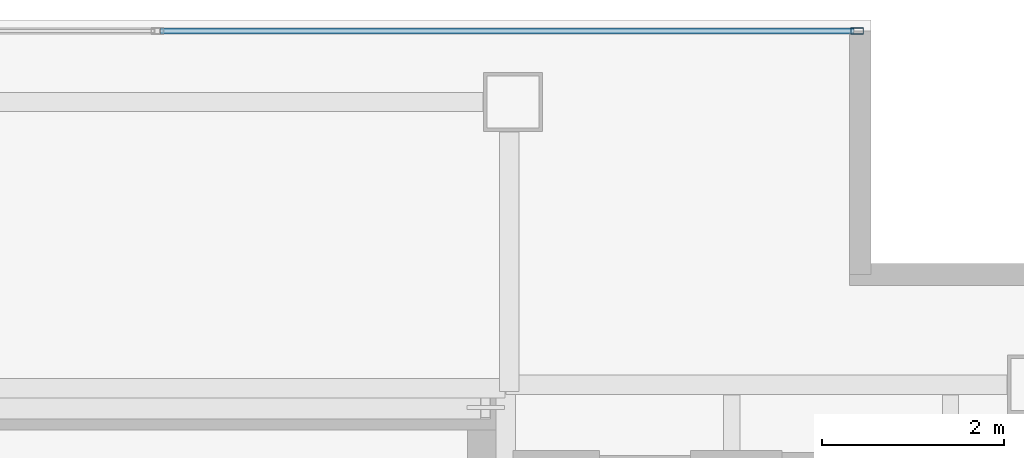
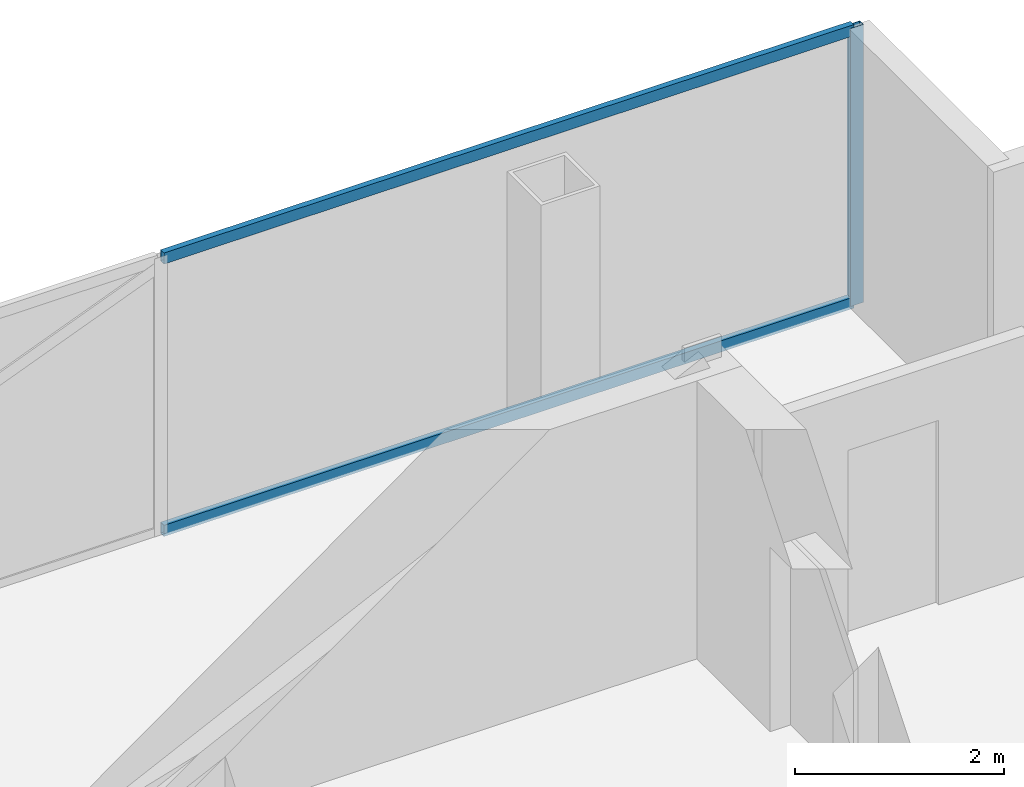
# One storey, part 18 of 23: 3 members, 1 element without a shape of its own.
"""IFC4 building model written with IfcOpenShell, lengths in metres."""

import ifcopenshell
import ifcopenshell.guid

model = None  # the IFC model being written
_history = None  # IfcOwnerHistory: only IFC2X3 demands one
_inside = {}  # id of a spatial element -> (the spatial element, [elements in it])
_under = {}  # id of a project, library or spatial element -> (it, [spatial elements below it])
_declared = {}  # id of a project -> (the project, [libraries it declares])
_typed = {}  # id of a type object -> (the type object, [elements of that type])
_made_of = {}  # id of a material, layer set ... -> (it, [elements and type objects made of it])


def new_model(schema):
    """Start an empty IFC model of exactly this schema.

    Asked for "IFC4X3", IfcOpenShell would pick the latest addendum, in which some entities
    have other attributes; the version numbers below select the first issue.
    IFC2X3 requires an IfcOwnerHistory on every rooted entity: one is made here for all.
    """
    global model, _history
    if schema == "IFC4X3":
        model = ifcopenshell.file(schema_version=(4, 3, 0, 0))
    else:
        model = ifcopenshell.file(schema=schema)
    _inside.clear()
    _under.clear()
    _declared.clear()
    _typed.clear()
    _made_of.clear()
    _history = None
    if model.schema == "IFC2X3":
        org = make("IfcOrganization", Name="unknown")
        user = make(
            "IfcPersonAndOrganization",
            ThePerson=make("IfcPerson", FamilyName="unknown"),
            TheOrganization=org,
        )
        app = make(
            "IfcApplication",
            ApplicationDeveloper=org,
            Version="unknown",
            ApplicationFullName="unknown",
            ApplicationIdentifier="unknown",
        )
        _history = make(
            "IfcOwnerHistory",
            OwningUser=user,
            OwningApplication=app,
            ChangeAction="ADDED",
            CreationDate=0,
        )
    return model


def make(cls, **values):
    """One entity of the class cls with the attributes given. An attribute that is None is left unset."""
    return model.create_entity(
        cls, **{name: value for name, value in values.items() if value is not None}
    )


def rooted(cls, **values):
    """An entity with a GlobalId (a new one), such as an element, a storey or a relation."""
    return make(cls, GlobalId=ifcopenshell.guid.new(), OwnerHistory=_history, **values)


def si_unit(unit_type, name, prefix=None):
    """IfcSIUnit, for example si_unit("LENGTHUNIT", "METRE", prefix="MILLI")."""
    return make("IfcSIUnit", UnitType=unit_type, Prefix=prefix, Name=name)


def assignment(units):
    """IfcUnitAssignment: the units of a project."""
    return None if units is None else make("IfcUnitAssignment", Units=units)


def point(xyz):
    """IfcCartesianPoint."""
    return None if xyz is None else make("IfcCartesianPoint", Coordinates=xyz)


def direction(xyz):
    """IfcDirection."""
    return None if xyz is None else make("IfcDirection", DirectionRatios=xyz)


def frame(location, z_axis=None, x_axis=None):
    """IfcAxis2Placement3D, a coordinate frame: its origin and axes. An axis left out is left unset."""
    return make(
        "IfcAxis2Placement3D",
        Location=point(location),
        Axis=direction(z_axis),
        RefDirection=direction(x_axis),
    )


def frame_2d(location, x_axis=None):
    """IfcAxis2Placement2D, a coordinate frame in the plane: its origin and x axis."""
    return make(
        "IfcAxis2Placement2D", Location=point(location), RefDirection=direction(x_axis)
    )


def origin():
    """The frame at (0, 0, 0) with its axes left unset."""
    return frame((0.0, 0.0, 0.0))


def origin_2d():
    """The frame at (0, 0) in the plane with its x axis left unset."""
    return frame_2d((0.0, 0.0))


def place(relative_to, where):
    """IfcLocalPlacement: puts the frame where relative to a parent placement (None: the world)."""
    return make(
        "IfcLocalPlacement", PlacementRelTo=relative_to, RelativePlacement=where
    )


def context(
    kind, dimensions, precision=None, world=None, true_north=None, identifier=None
):
    """IfcGeometricRepresentationContext, for example the 3D "Model" context."""
    return make(
        "IfcGeometricRepresentationContext",
        ContextIdentifier=identifier,
        ContextType=kind,
        CoordinateSpaceDimension=dimensions,
        Precision=precision,
        WorldCoordinateSystem=world,
        TrueNorth=true_north,
    )


def subcontext(parent, identifier, kind, view, scale=None):
    """IfcGeometricRepresentationSubContext, for example "Body" below "Model"."""
    return make(
        "IfcGeometricRepresentationSubContext",
        ContextIdentifier=identifier,
        ContextType=kind,
        ParentContext=parent,
        TargetScale=scale,
        TargetView=view,
    )


def project(units=None, contexts=None):
    """IfcProject with its units and contexts."""
    return rooted(
        "IfcProject",
        Name="project",
        RepresentationContexts=contexts,
        UnitsInContext=assignment(units),
    )


def spatial(cls, under=None, at=None, **own):
    """A site, building, storey or space (cls), placed at a placement, below another one or the project."""
    s = rooted(cls, ObjectPlacement=at, **own)
    if under is not None:
        _under.setdefault(under.id(), (under, []))[1].append(s)
    return s


def profile(cls, at=None, kind="AREA", **sizes):
    """A parametric profile (cls). Its sizes go by their IFC names, for example OverallWidth=200.0."""
    return make(cls, ProfileType=kind, Position=at, **sizes)


def hollow_rectangle(**sizes):
    """IfcRectangleHollowProfileDef."""
    return profile("IfcRectangleHollowProfileDef", **sizes)


def extrude(swept, where, along, depth):
    """IfcExtrudedAreaSolid: the profile swept, set in the frame where, extruded along a direction by depth."""
    return make(
        "IfcExtrudedAreaSolid",
        SweptArea=swept,
        Position=where,
        ExtrudedDirection=direction(along),
        Depth=depth,
    )


def shape(context_of_items, identifier, shape_type, items):
    """IfcShapeRepresentation: the items that make up one representation, for example the "Body"."""
    return make(
        "IfcShapeRepresentation",
        ContextOfItems=context_of_items,
        RepresentationIdentifier=identifier,
        RepresentationType=shape_type,
        Items=items,
    )


def material(Name=None, Category=None):
    """IfcMaterial."""
    return make("IfcMaterial", Name=Name, Category=Category)


def material_profile(
    of_material, cross_section, Name=None, Category=None, Priority=None
):
    """IfcMaterialProfile: a cross section and its material."""
    return make(
        "IfcMaterialProfile",
        Name=Name,
        Material=of_material,
        Profile=cross_section,
        Priority=Priority,
        Category=Category,
    )


def profile_set(profiles, Name=None, composite=None):
    """IfcMaterialProfileSet."""
    return make(
        "IfcMaterialProfileSet",
        Name=Name,
        MaterialProfiles=profiles,
        CompositeProfile=composite,
    )


def made_of(thing, what):
    """Note that an element or type object is made of a material, layer set ...; save() writes the relation."""
    if what is not None:
        _made_of.setdefault(what.id(), (what, []))[1].append(thing)
    return thing


def type_object(cls, material=None, **own):
    """A type object (cls), such as IfcWallType, which elements share."""
    return made_of(rooted(cls, **own), material)


def element(
    cls,
    number,
    at=None,
    inside=None,
    cuts=None,
    type_object=None,
    material=None,
    context=None,
    identifier="Body",
    shape_type=None,
    held_by="IfcProductDefinitionShape",
    body=None,
    shapes=None,
    **own,
):
    """One element of the class cls, such as IfcWall. Its Tag is "e" and its number.

    at: its placement. inside: the storey or other place that contains it. cuts: it is an
    opening in that element (IfcRelVoidsElement). A single representation is given by context,
    identifier, shape_type and body (its items); several are given by shapes. held_by: the class
    of the entity that holds the representations. save() writes the other relations.
    """
    e = rooted(cls, Tag="e%d" % number, ObjectPlacement=at, **own)
    if body is not None:
        shapes = [shape(context, identifier, shape_type, body)]
    if shapes is not None:
        e.Representation = make(held_by, Representations=shapes)
    if inside is not None:
        _inside.setdefault(inside.id(), (inside, []))[1].append(e)
    if cuts is not None:
        rooted(
            "IfcRelVoidsElement", RelatingBuildingElement=cuts, RelatedOpeningElement=e
        )
    if type_object is not None:
        _typed.setdefault(type_object.id(), (type_object, []))[1].append(e)
    return made_of(e, material)


def aggregate(whole, parts):
    """IfcRelAggregates: a whole, such as a stair, and the parts it consists of."""
    return rooted("IfcRelAggregates", RelatingObject=whole, RelatedObjects=parts)


def save(model, path):
    """Write the relations noted so far, then the file.

    IfcRelAggregates (storeys below a building ...), IfcRelContainedInSpatialStructure (elements
    in a storey), IfcRelDefinesByType, IfcRelAssociatesMaterial and IfcRelDeclares: one each for
    every whole, place, type object, material and project.
    """
    for whole, parts in _under.values():
        aggregate(whole, parts)
    for where, things in _inside.values():
        rooted(
            "IfcRelContainedInSpatialStructure",
            RelatedElements=things,
            RelatingStructure=where,
        )
    for kind, things in _typed.values():
        rooted("IfcRelDefinesByType", RelatedObjects=things, RelatingType=kind)
    for what, things in _made_of.values():
        rooted("IfcRelAssociatesMaterial", RelatedObjects=things, RelatingMaterial=what)
    for by, libraries in _declared.values():
        rooted("IfcRelDeclares", RelatingContext=by, RelatedDefinitions=libraries)
    model.write(path)


model = new_model("IFC4")

# Units and contexts
model_context = context("Model", 3, precision=1e-05, world=origin(), true_north=direction((0.0, 1.0)))
body_context = subcontext(model_context, "Body", "Model", "MODEL_VIEW")
ifc_project = project(units=[si_unit("LENGTHUNIT", "METRE"), si_unit("AREAUNIT", "SQUARE_METRE"), si_unit("VOLUMEUNIT", "CUBIC_METRE"), si_unit("PLANEANGLEUNIT", "RADIAN"), si_unit("MASSUNIT", "GRAM", prefix="KILO")], contexts=[model_context])

# Site, building, storey
site_placement = place(None, origin())
site = spatial("IfcSite", under=ifc_project, at=site_placement, CompositionType="ELEMENT")
building_placement = place(site_placement, origin())
building = spatial("IfcBuilding", under=site, at=building_placement, Name="Cobrela Telecom Tower", CompositionType="ELEMENT")
storey_placement = place(building_placement, frame((0.0, 0.0, 279.64990234375)))
storey = spatial("IfcBuildingStorey", under=building, at=storey_placement, Name="L73", CompositionType="ELEMENT", Elevation=279.64990234375)

# Curtain wall, members
ifc_material = material(Name="Anodized Bronze Aluminium 6063-T6", Category="aluminium")
curtain_wall_type = type_object("IfcCurtainWallType", Name="CW-SYS-OFF-HI", PredefinedType="USERDEFINED", material=ifc_material)
curtain_wall_placement = place(storey_placement, origin())
curtain_wall = element("IfcCurtainWall", 1, at=curtain_wall_placement, inside=storey, type_object=curtain_wall_type, Name="L73 Unitised Bronze Curtain Wall 05", ObjectType="UNITISED CURTAIN WALL", PredefinedType="USERDEFINED")
ifc_material_profile_1 = material_profile(ifc_material, hollow_rectangle(XDim=0.070068359375, YDim=0.139892578125, WallThickness=0.00390625, at=origin_2d()), Name="ALU 70x140x4")
ifc_profile_set_1 = profile_set([ifc_material_profile_1], Name="Anodized Bronze Aluminium 6063-T6")
member_type_1 = type_object("IfcMemberType", Name="CW-SYS-OFF-HI-MUL", PredefinedType="MULLION", material=ifc_profile_set_1)
member_1_placement = place(storey_placement, frame((18.175048828125, 39.8798828125, 0.0), z_axis=(0.0, 0.0, 1.0), x_axis=(0.0, 1.0, 0.0)))
member_1 = element("IfcMember", 2, at=member_1_placement, type_object=member_type_1, Name="CW-OFF-HI mullion 3", PredefinedType="MULLION", context=body_context, shape_type="SweptSolid", body=[
    extrude(hollow_rectangle(XDim=0.070068359375, YDim=0.139892578125, WallThickness=0.00390625, at=origin_2d()), origin(), (0.0, 0.0, 1.0), 3.239990234375),
])
ifc_material_profile_2 = material_profile(ifc_material, hollow_rectangle(XDim=0.06494140625, YDim=0.1298828125, WallThickness=0.00390625, at=origin_2d()), Name="ALU 65x130x4")
ifc_profile_set_2 = profile_set([ifc_material_profile_2], Name="Anodized Bronze Aluminium 6063-T6")
member_type_2 = type_object("IfcMemberType", Name="CW-SYS-OFF-HI-TRN", PredefinedType="USERDEFINED", material=ifc_profile_set_2)
member_2_placement = place(storey_placement, frame((10.534912109375, 39.8798828125, 0.03271484375), z_axis=(1.0, 0.0, 0.0), x_axis=(0.0, 1.0, 0.0)))
member_2 = element("IfcMember", 3, at=member_2_placement, type_object=member_type_2, Name="CW-OFF-HI transom 2.1", ObjectType="TRANSOM", PredefinedType="USERDEFINED", context=body_context, shape_type="SweptSolid", body=[
    extrude(hollow_rectangle(XDim=0.06494140625, YDim=0.1298828125, WallThickness=0.00390625, at=origin_2d()), origin(), (0.0, 0.0, 1.0), 7.60498046875),
])
member_3_placement = place(storey_placement, frame((10.534912109375, 39.8798828125, 3.20751953125), z_axis=(1.0, 0.0, 0.0), x_axis=(0.0, 1.0, 0.0)))
member_3 = element("IfcMember", 4, at=member_3_placement, type_object=member_type_2, Name="CW-OFF-HI transom 2.2", ObjectType="TRANSOM", PredefinedType="USERDEFINED", context=body_context, shape_type="SweptSolid", body=[
    extrude(hollow_rectangle(XDim=0.06494140625, YDim=0.1298828125, WallThickness=0.00390625, at=origin_2d()), origin(), (0.0, 0.0, 1.0), 7.60498046875),
])
aggregate(curtain_wall, [member_1, member_2, member_3])

save(model, "model.ifc")
